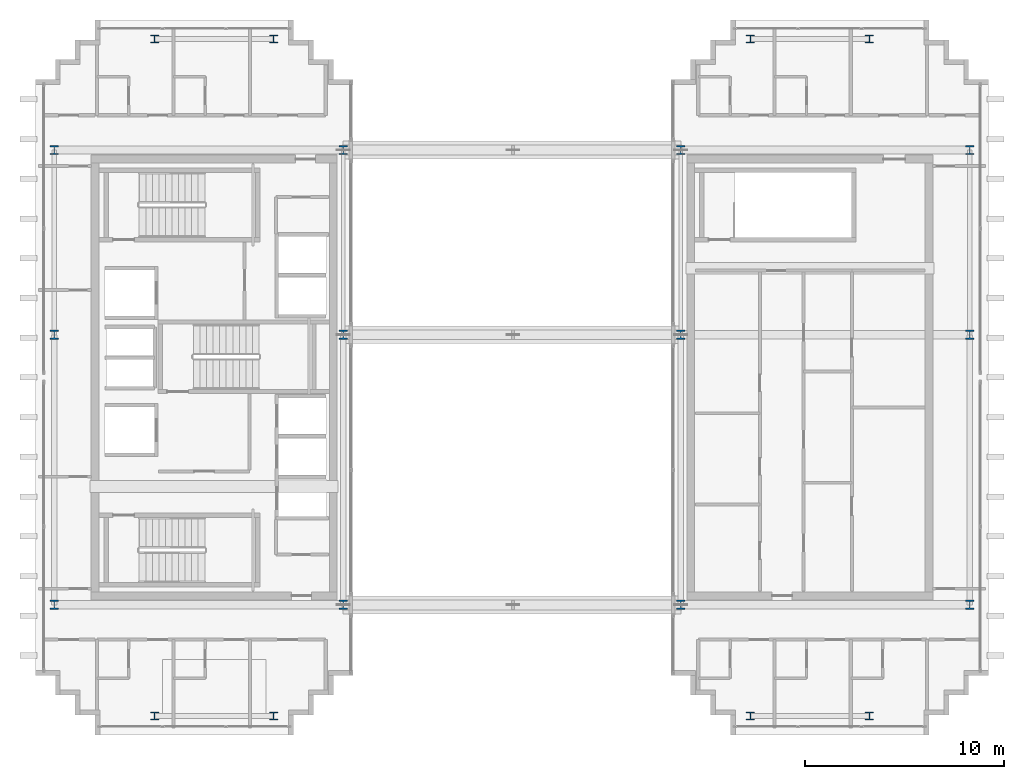
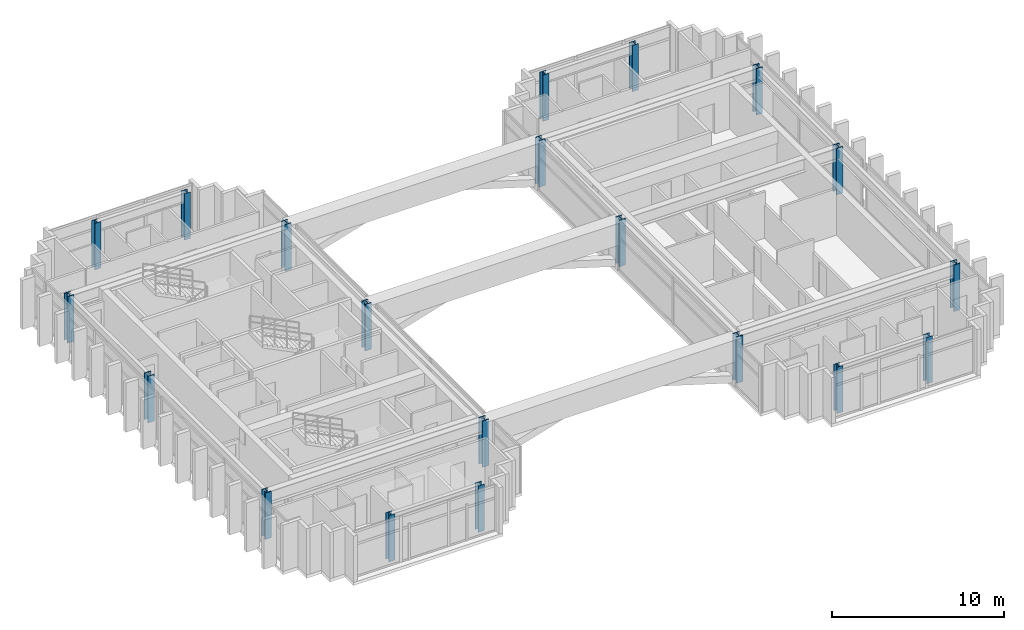
# One storey, part 1 of 28: 20 columns.
"""IFC4 building model written with IfcOpenShell, lengths in metres."""

from ifc_helpers import new_model, si_unit, direction, frame, origin, origin_2d, place, context, subcontext, project, spatial, i_section, extrude, source, transform, mapped, material, material_profile, profile_set, type_object, element, save


model = new_model("IFC4")

# Units and contexts
model_context = context("Model", 3, precision=1e-05, world=origin(), true_north=direction((0.0, 1.0)))
body_context = subcontext(model_context, "Body", "Model", "MODEL_VIEW")
ifc_project = project(units=[si_unit("LENGTHUNIT", "METRE"), si_unit("AREAUNIT", "SQUARE_METRE"), si_unit("VOLUMEUNIT", "CUBIC_METRE"), si_unit("PLANEANGLEUNIT", "RADIAN"), si_unit("MASSUNIT", "GRAM", prefix="KILO")], contexts=[model_context])

# Site, building, storey
site_placement = place(None, origin())
site = spatial("IfcSite", under=ifc_project, at=site_placement, CompositionType="ELEMENT")
building_placement = place(site_placement, origin())
building = spatial("IfcBuilding", under=site, at=building_placement, Name="Ocotamira Hotel", CompositionType="ELEMENT")
storey_placement = place(building_placement, frame((0.0, 0.0, 268.800048828125)))
storey = spatial("IfcBuildingStorey", under=building, at=storey_placement, Name="L68", CompositionType="ELEMENT", Elevation=268.800048828125)

# Columns
ifc_material_1 = material(Name="Steel ASTM A913 Grade 65", Category="steel")
ifc_material_profile_1 = material_profile(ifc_material_1, i_section(OverallWidth=0.422119140625, OverallDepth=0.465087890625, WebThickness=0.044921875, FlangeThickness=0.072509765625, FilletRadius=0.02490234375, at=origin_2d()), Name="W14X398")
ifc_profile_set_1 = profile_set([ifc_material_profile_1], Name="Steel ASTM A913 Grade 65")
column_type_1 = type_object("IfcColumnType", Name="COL-W14X398", PredefinedType="COLUMN", material=ifc_profile_set_1)
shared_shape_1 = source(origin(), body_context, "Body", "SweptSolid", [
    extrude(i_section(OverallWidth=0.422119140625, OverallDepth=0.465087890625, WebThickness=0.044921875, FlangeThickness=0.072509765625, FilletRadius=0.02490234375, at=origin_2d()), origin(), (0.0, 0.0, 1.0), 3.280029296875),
])
for number, where, z_axis, x_axis, name in (
    (1, (8.949951171875, 14.550048828125, 0.0), (0.0, 0.0, 1.0), (1.0, 0.0, 0.0), "L68 Column TW8_14"),
    (2, (23.5, 14.550048828125, 0.0), (0.0, 0.0, 1.0), (1.0, 0.0, 0.0), "L68 Column TW23_14"),
    (3, (40.5, 14.550048828125, 0.0), (0.0, 0.0, 1.0), (1.0, 0.0, 0.0), "L68 Column TE40_14"),
    (4, (55.050048828125, 14.550048828125, 0.0), (0.0, 0.0, 1.0), (1.0, 0.0, 0.0), "L68 Column TE55_14"),
    (5, (8.949951171875, 28.14990234375, 0.0), (0.0, 0.0, 1.0), (1.0, 0.0, 0.0), "L68 Column TW8_28"),
    (6, (23.5, 28.14990234375, 0.0), (0.0, 0.0, 1.0), (1.0, 0.0, 0.0), "L68 Column TW23_28"),
    (7, (40.5, 28.14990234375, 0.0), (0.0, 0.0, 1.0), (1.0, 0.0, 0.0), "L68 Column TE40_28"),
    (8, (55.050048828125, 28.14990234375, 0.0), (0.0, 0.0, 1.0), (1.0, 0.0, 0.0), "L68 Column TE55_28"),
    (9, (8.949951171875, 37.449951171875, 0.0), (0.0, 0.0, 1.0), (1.0, 0.0, 0.0), "L68 Column TW8_37"),
    (10, (23.5, 37.449951171875, 0.0), (0.0, 0.0, 1.0), (1.0, 0.0, 0.0), "L68 Column TW23_37"),
    (11, (40.5, 37.449951171875, 0.0), (0.0, 0.0, 1.0), (1.0, 0.0, 0.0), "L68 Column TE40_37"),
    (12, (55.050048828125, 37.449951171875, 0.0), (0.0, 0.0, 1.0), (1.0, 0.0, 0.0), "L68 Column TE55_37"),
):
    element("IfcColumn", number, at=place(storey_placement, frame(where, z_axis=z_axis, x_axis=x_axis)), inside=storey, type_object=column_type_1, Name=name, PredefinedType="COLUMN", context=body_context, shape_type="MappedRepresentation", body=[
        mapped(shared_shape_1, transform((0.0, 0.0, 0.0), scale=1.0)),
    ])
ifc_material_2 = material(Name="Steel ASTM A992 Grade 50", Category="steel")
ifc_material_profile_2 = material_profile(ifc_material_2, i_section(OverallWidth=0.39892578125, OverallDepth=0.386962890625, WebThickness=0.02099609375, FlangeThickness=0.033203125, FilletRadius=0.02490234375, at=origin_2d()), Name="W14X176")
ifc_profile_set_2 = profile_set([ifc_material_profile_2], Name="Steel ASTM A992 Grade 50")
column_type_2 = type_object("IfcColumnType", Name="COL-W14X176", PredefinedType="COLUMN", material=ifc_profile_set_2)
shared_shape_2 = source(origin(), body_context, "Body", "SweptSolid", [
    extrude(i_section(OverallWidth=0.39892578125, OverallDepth=0.386962890625, WebThickness=0.02099609375, FlangeThickness=0.033203125, FilletRadius=0.02490234375, at=origin_2d()), origin(), (0.0, 0.0, 1.0), 3.280029296875),
])
for number, where, z_axis, x_axis, name in (
    (13, (14.0, 8.949951171875, 0.0), (0.0, 0.0, 1.0), (1.0, 0.0, 0.0), "L68 Column NSP1_14"),
    (14, (20.0, 8.949951171875, 0.0), (0.0, 0.0, 1.0), (1.0, 0.0, 0.0), "L68 Column NSP1_20"),
    (15, (44.0, 8.949951171875, 0.0), (0.0, 0.0, 1.0), (1.0, 0.0, 0.0), "L68 Column NSP1_44"),
    (16, (50.0, 8.949951171875, 0.0), (0.0, 0.0, 1.0), (1.0, 0.0, 0.0), "L68 Column NSP1_50"),
    (17, (14.0, 43.050048828125, 0.0), (0.0, 0.0, 1.0), (1.0, 0.0, 0.0), "L68 Column NSP2_14"),
    (18, (20.0, 43.050048828125, 0.0), (0.0, 0.0, 1.0), (1.0, 0.0, 0.0), "L68 Column NSP2_20"),
    (19, (44.0, 43.050048828125, 0.0), (0.0, 0.0, 1.0), (1.0, 0.0, 0.0), "L68 Column NSP2_44"),
    (20, (50.0, 43.050048828125, 0.0), (0.0, 0.0, 1.0), (1.0, 0.0, 0.0), "L68 Column NSP2_50"),
):
    element("IfcColumn", number, at=place(storey_placement, frame(where, z_axis=z_axis, x_axis=x_axis)), inside=storey, type_object=column_type_2, Name=name, PredefinedType="COLUMN", context=body_context, shape_type="MappedRepresentation", body=[
        mapped(shared_shape_2, transform((0.0, 0.0, 0.0), scale=1.0)),
    ])

save(model, "model.ifc")
